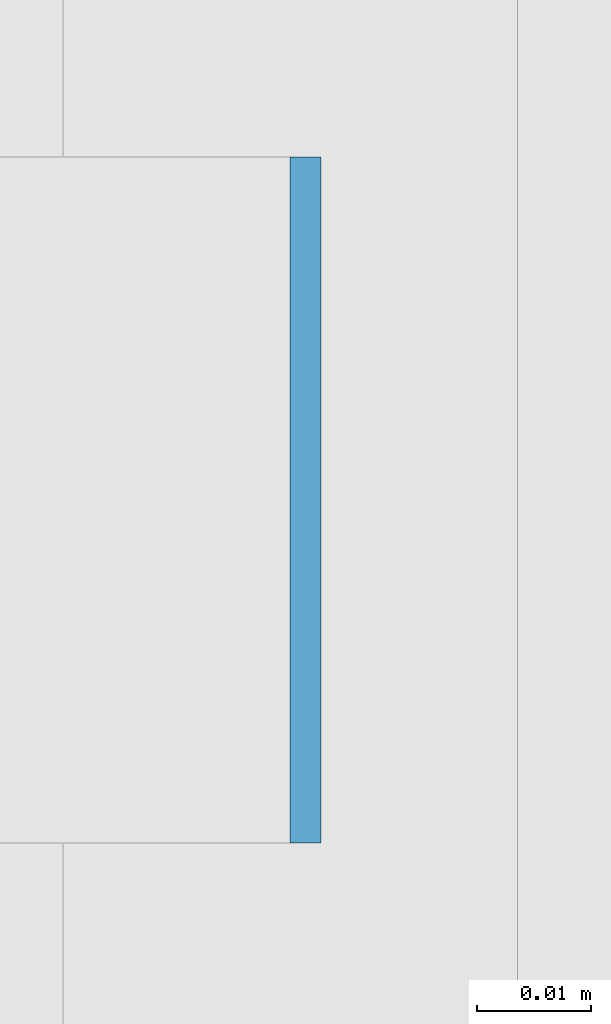
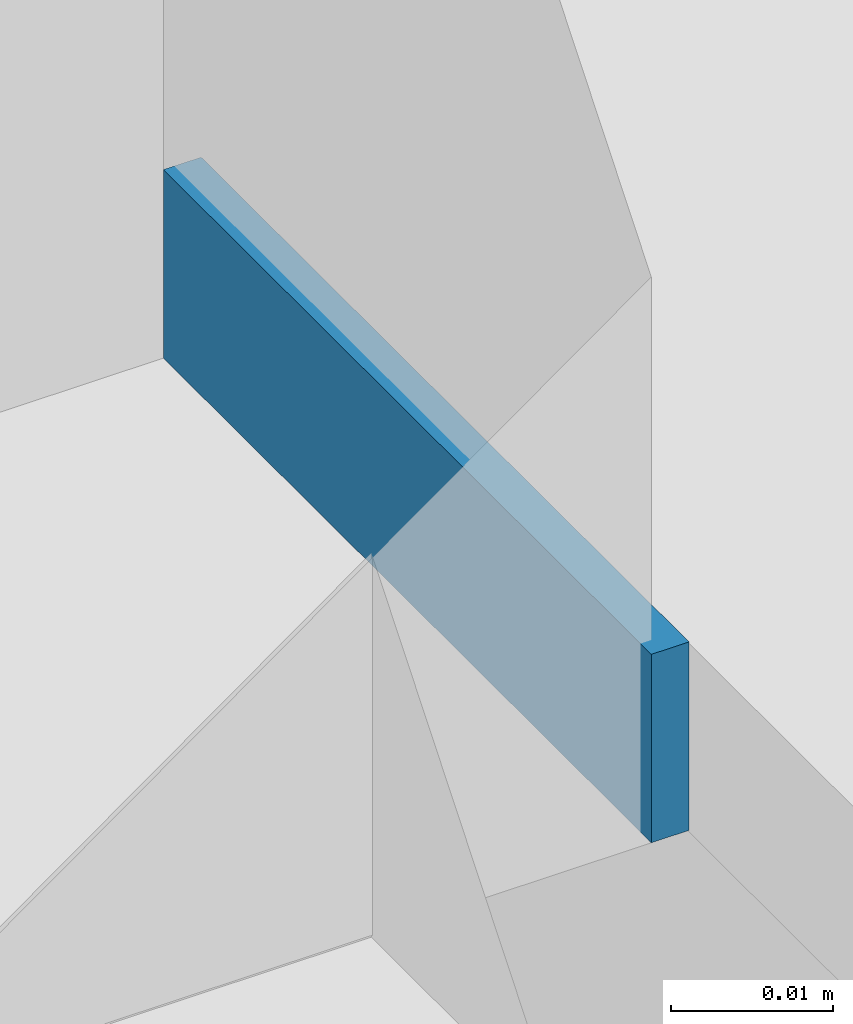
# One storey, part 356 of 646: 1 discrete accessory.
"""IFC4 building model written with IfcOpenShell, lengths in metres."""

from ifc_helpers import new_model, si_unit, direction, frame, origin, origin_2d, place, context, subcontext, project, spatial, rectangle, extrude, material, type_object, element, save


model = new_model("IFC4")

# Units and contexts
model_context = context("Model", 3, precision=1e-05, world=origin(), true_north=direction((0.0, 1.0)))
body_context = subcontext(model_context, "Body", "Model", "MODEL_VIEW")
ifc_project = project(units=[si_unit("LENGTHUNIT", "METRE"), si_unit("AREAUNIT", "SQUARE_METRE"), si_unit("VOLUMEUNIT", "CUBIC_METRE"), si_unit("PLANEANGLEUNIT", "RADIAN"), si_unit("MASSUNIT", "GRAM", prefix="KILO")], contexts=[model_context])

# Site, building, storey
site_placement = place(None, origin())
site = spatial("IfcSite", under=ifc_project, at=site_placement, CompositionType="ELEMENT")
building_placement = place(site_placement, origin())
building = spatial("IfcBuilding", under=site, at=building_placement, Name="Silverbay Arena", CompositionType="ELEMENT")
storey_placement = place(building_placement, frame((0.0, 0.0, 33.5)))
storey = spatial("IfcBuildingStorey", under=building, at=storey_placement, Name="L05", CompositionType="ELEMENT", Elevation=33.5)

# Discrete accessory
ifc_material = material(Name="Steel S355", Category="steel")
discrete_accessory_type = type_object("IfcDiscreteAccessoryType", Name="Steel bracket plate", PredefinedType="BRACKET", material=ifc_material)
discrete_accessory_placement = place(storey_placement, frame((53.871337890625, 93.857177734375, 4.0), z_axis=(0.0, 0.0, 1.0), x_axis=(1.0, 0.0, 0.0)))
element("IfcDiscreteAccessory", 1, at=discrete_accessory_placement, inside=storey, type_object=discrete_accessory_type, Name="Curtain wall packing plate", PredefinedType="BRACKET", context=body_context, shape_type="SweptSolid", body=[
    extrude(rectangle(XDim=0.002685546875, YDim=0.06005859375, at=origin_2d()), origin(), (0.0, 0.0, 1.0), 0.01416015625),
])

save(model, "model.ifc")
